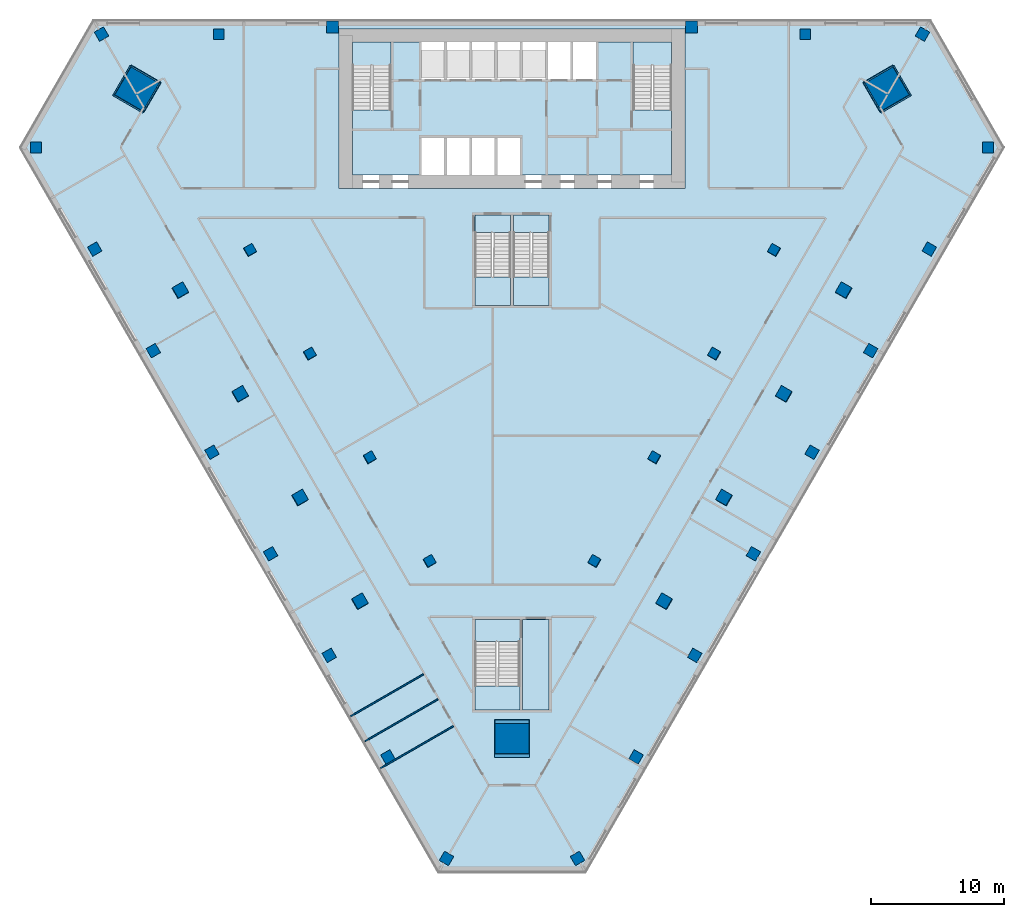
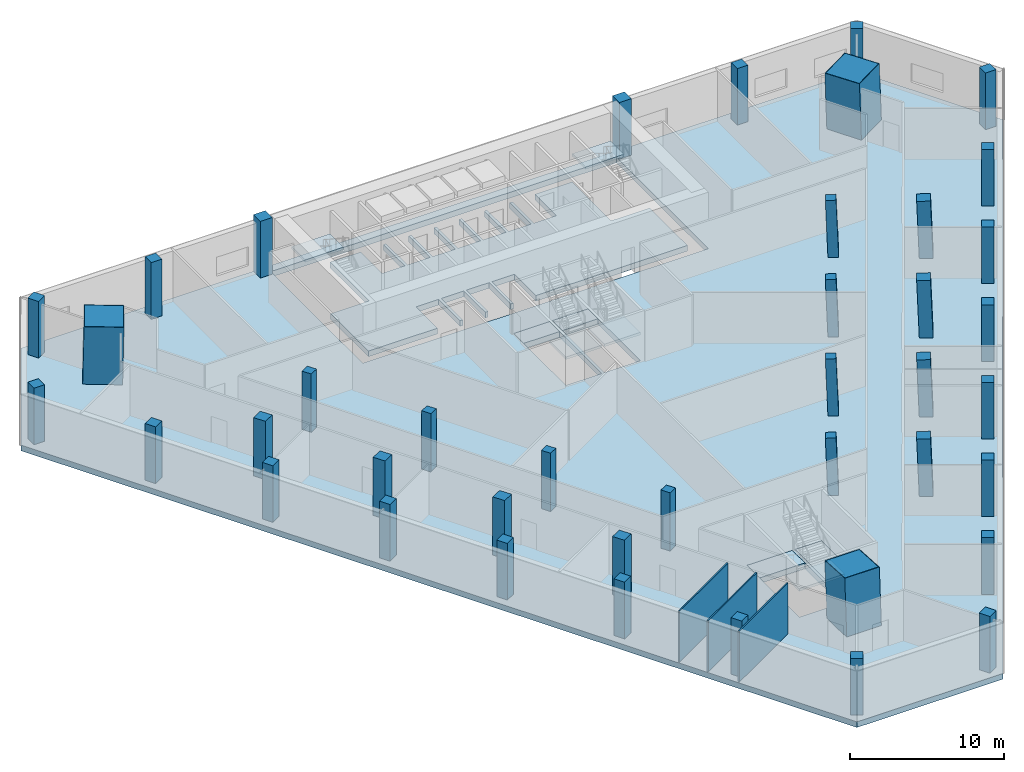
# One storey, part 1 of 9: 41 columns, 11 slabs, 3 members, 3 walls, 5 elements without a shape of their own.
"""IFC4 building model written with IfcOpenShell, lengths in metres."""

from ifc_helpers import new_model, si_unit, direction, frame, frame_2d, origin, origin_2d, place, context, subcontext, project, spatial, polyline, rectangle, hollow_rectangle, outline, extrude, material, layer, layer_set, material_profile, profile_set, type_object, element, aggregate, save


model = new_model("IFC4")

# Units and contexts
model_context = context("Model", 3, precision=1e-05, world=origin(), true_north=direction((0.0, 1.0)))
body_context = subcontext(model_context, "Body", "Model", "MODEL_VIEW")
ifc_project = project(units=[si_unit("LENGTHUNIT", "METRE"), si_unit("AREAUNIT", "SQUARE_METRE"), si_unit("VOLUMEUNIT", "CUBIC_METRE"), si_unit("PLANEANGLEUNIT", "RADIAN"), si_unit("MASSUNIT", "GRAM", prefix="KILO")], contexts=[model_context])

# Site, building, storey
site_placement = place(None, origin())
site = spatial("IfcSite", under=ifc_project, at=site_placement, CompositionType="ELEMENT")
building_placement = place(site_placement, origin())
building = spatial("IfcBuilding", under=site, at=building_placement, Name="Altiplano Prism Tower", CompositionType="ELEMENT")
storey_placement = place(building_placement, frame((0.0, 0.0, 9.0)))
storey = spatial("IfcBuildingStorey", under=building, at=storey_placement, Name="L01", CompositionType="ELEMENT", Elevation=9.0)

# Columns
ifc_material_1 = material(Name="Concrete C60/75", Category="concrete")
ifc_material_profile_1 = material_profile(ifc_material_1, rectangle(XDim=0.699951171875, YDim=0.699951171875, at=origin_2d()), Name="Inner column 700")
ifc_profile_set_1 = profile_set([ifc_material_profile_1], Name="Concrete C60/75")
column_type_1 = type_object("IfcColumnType", Name="Inner column 700", PredefinedType="COLUMN", material=ifc_profile_set_1)
for number, where, z_axis, x_axis, name in (
    (1, (65.292236328125, 87.747802734375, -0.021240234375), (0.022167823514, 0.038427840761, 0.999015459668), (-0.865419268357, -0.499573226186, 0.038419807841), "Inner column I11 L01"),
    (2, (69.792236328125, 79.95361328125, -0.021240234375), (0.022167823514, 0.038427840761, 0.999015459668), (-0.865417101727, -0.499576972074, 0.038419903852), "Inner column I12 L01"),
    (3, (74.292236328125, 72.159423828125, -0.021240234375), (0.022167823514, 0.038427840761, 0.999015459668), (-0.865419259621, -0.49957324129, 0.038419808228), "Inner column I13 L01"),
    (4, (78.792236328125, 64.364990234375, -0.021240234375), (0.02216777731, 0.038481960612, 0.999013377466), (-0.865113540396, -0.500099350468, 0.03846039371), "Inner column I14 L01"),
    (5, (91.207763671875, 64.364990234375, -0.021240234375), (-0.02216777731, 0.038481960612, 0.999013377466), (-0.501085972536, -0.865112581326, 0.022205174152), "Inner column I21 L01"),
    (6, (95.707763671875, 72.159423828125, -0.021240234375), (-0.022167823514, 0.038427840761, 0.999015459668), (-0.500554050762, -0.865421056617, 0.022181907681), "Inner column I22 L01"),
    (7, (100.207763671875, 79.95361328125, -0.021240234375), (-0.022167823514, 0.038427840761, 0.999015459668), (-0.500557781558, -0.865418902984, 0.022181742055), "Inner column I23 L01"),
    (8, (104.707763671875, 87.747802734375, -0.021240234375), (-0.022167823514, 0.038427840761, 0.999015459668), (-0.500557781558, -0.865418902984, 0.022181742055), "Inner column I24 L01"),
):
    element("IfcColumn", number, at=place(storey_placement, frame(where, z_axis=z_axis, x_axis=x_axis)), inside=storey, type_object=column_type_1, Name=name, PredefinedType="COLUMN", context=body_context, shape_type="SweptSolid", body=[
        extrude(rectangle(XDim=0.699951171875, YDim=0.699951171875, at=origin_2d()), origin(), (0.0, 0.0, 1.0), 4.50439453125),
    ])
ifc_material_2 = material(Name="Concrete C70/85", Category="concrete")
ifc_material_profile_2 = material_profile(ifc_material_2, rectangle(XDim=2.52001953125, YDim=2.52001953125, at=origin_2d()), Name="Mega column infill 2600")
ifc_profile_set_2 = profile_set([ifc_material_profile_2], Name="Concrete C70/85")
column_type_2 = type_object("IfcColumnType", Name="Mega column infill 2600", PredefinedType="COLUMN", material=ifc_profile_set_2)
column_1_placement = place(storey_placement, frame((56.741455078125, 99.853271484375, 0.0), z_axis=(0.028416130736, 0.009218973712, 0.999553667412), x_axis=(-0.865053397917, 0.501282210701, 0.019969075775)))
element("IfcColumn", 9, at=column_1_placement, inside=storey, type_object=column_type_2, Name="Mega column M0 L01", PredefinedType="COLUMN", context=body_context, shape_type="SweptSolid", body=[
    extrude(rectangle(XDim=2.52001953125, YDim=2.52001953125, at=origin_2d()), origin(), (0.0, 0.0, 1.0), 4.501953125),
])
column_2_placement = place(storey_placement, frame((85.0, 50.908203125, 0.0), z_axis=(0.0, 0.058331497301, 0.998297268564), x_axis=(-1.0, 0.0, 0.0)))
element("IfcColumn", 10, at=column_2_placement, inside=storey, type_object=column_type_2, Name="Mega column M1 L01", PredefinedType="COLUMN", context=body_context, shape_type="SweptSolid", body=[
    extrude(rectangle(XDim=2.52001953125, YDim=2.52001953125, at=origin_2d()), origin(), (0.0, 0.0, 1.0), 4.507568359375),
])
column_3_placement = place(storey_placement, frame((113.258544921875, 99.853271484375, 0.0), z_axis=(-0.028416130736, 0.009218973712, 0.999553667412), x_axis=(0.500876370668, -0.86523358539, 0.022219451375)))
element("IfcColumn", 11, at=column_3_placement, inside=storey, type_object=column_type_2, Name="Mega column M2 L01", PredefinedType="COLUMN", context=body_context, shape_type="SweptSolid", body=[
    extrude(rectangle(XDim=2.52001953125, YDim=2.52001953125, at=origin_2d()), origin(), (0.0, 0.0, 1.0), 4.501953125),
])
ifc_material_profile_3 = material_profile(ifc_material_1, rectangle(XDim=0.89990234375, YDim=0.89990234375, at=origin_2d()), Name="Perimeter column 900")
ifc_profile_set_3 = profile_set([ifc_material_profile_3], Name="Concrete C60/75")
column_type_3 = type_object("IfcColumnType", Name="Perimeter column 900", PredefinedType="COLUMN", material=ifc_profile_set_3)
for number, where, z_axis, x_axis, name in (
    (12, (98.5, 104.550048828125, 0.0), (0.0, 0.0, 1.0), (1.0, 0.0, 0.0), "Perimeter column P01 L01"),
    (13, (71.5, 104.550048828125, 0.0), (0.0, 0.0, 1.0), (1.0, 0.0, 0.0), "Perimeter column P04 L01"),
):
    element("IfcColumn", number, at=place(storey_placement, frame(where, z_axis=z_axis, x_axis=x_axis)), inside=storey, type_object=column_type_3, Name=name, PredefinedType="COLUMN", context=body_context, shape_type="SweptSolid", body=[
        extrude(rectangle(XDim=0.89990234375, YDim=0.89990234375, at=origin_2d()), origin(), (0.0, 0.0, 1.0), 4.5),
    ])
for number, where, z_axis, x_axis, name in (
    (14, (60.052734375, 84.72265625, -0.02734375), (0.022167823514, 0.038427840761, 0.999015459668), (-0.865417110463, -0.49957695697, 0.038419903465), "Perimeter column P11 L01"),
    (15, (64.552734375, 76.92822265625, -0.02734375), (0.02216777731, 0.038481960612, 0.999013377466), (-0.865111388971, -0.500103064833, 0.038460489047), "Perimeter column P12 L01"),
    (16, (69.052734375, 69.134033203125, -0.02734375), (0.02216777731, 0.038481960612, 0.999013377466), (-0.865113540396, -0.500099350468, 0.03846039371), "Perimeter column P13 L01"),
    (17, (73.552734375, 61.33984375, -0.02734375), (0.022167823514, 0.038427840761, 0.999015459668), (-0.865419259621, -0.49957324129, 0.038419808228), "Perimeter column P14 L01"),
    (18, (96.447265625, 61.33984375, -0.02734375), (-0.022167823514, 0.038427840761, 0.999015459668), (-0.500557781558, -0.865418902984, 0.022181742055), "Perimeter column P21 L01"),
    (19, (100.947265625, 69.134033203125, -0.02734375), (-0.02216777731, 0.038481960612, 0.999013377466), (-0.501082258158, -0.8651147285, 0.022205339282), "Perimeter column P22 L01"),
    (20, (105.447265625, 76.92822265625, -0.02734375), (-0.02216777731, 0.038481960612, 0.999013377466), (-0.501085972536, -0.865112581326, 0.022205174152), "Perimeter column P23 L01"),
    (21, (109.947265625, 84.72265625, -0.02734375), (-0.022167823514, 0.038427840761, 0.999015459668), (-0.500557781558, -0.865418902984, 0.022181742055), "Perimeter column P24 L01"),
):
    element("IfcColumn", number, at=place(storey_placement, frame(where, z_axis=z_axis, x_axis=x_axis)), inside=storey, type_object=column_type_3, Name=name, PredefinedType="COLUMN", context=body_context, shape_type="SweptSolid", body=[
        extrude(rectangle(XDim=0.89990234375, YDim=0.89990234375, at=origin_2d()), origin(), (0.0, 0.0, 1.0), 4.50439453125),
    ])
ifc_material_profile_4 = material_profile(ifc_material_1, rectangle(XDim=0.800048828125, YDim=0.800048828125, at=origin_2d()), Name="Podium column 800")
ifc_profile_set_4 = profile_set([ifc_material_profile_4], Name="Concrete C60/75")
column_type_4 = type_object("IfcColumnType", Name="Podium column 800", PredefinedType="COLUMN", material=ifc_profile_set_4)
for number, where, z_axis, x_axis, name in (
    (22, (115.85791015625, 104.0, 0.0), (0.0, 0.0, 1.0), (0.500000015115, 0.866025395058, 0.0), "PC Q01 L01"),
    (23, (107.041259765625, 104.0, 0.0), (0.0, 0.0, 1.0), (1.0, 0.0, 0.0), "PC Q02 L01"),
    (24, (62.958740234375, 104.0, 0.0), (0.0, 0.0, 1.0), (1.0, 0.0, 0.0), "PC Q07 L01"),
    (25, (54.14208984375, 104.0, 0.0), (0.0, 0.0, 1.0), (0.866025395058, 0.500000015115, 0.0), "PC Q08 L01"),
    (26, (49.219482421875, 95.4736328125, 0.0), (0.0, 0.0, 1.0), (1.0, 1.7453e-08, 0.0), "PC Q09 L01"),
    (27, (53.627685546875, 87.83837890625, 0.0), (0.0, 0.0, 1.0), (0.866025412511, 0.499999984885, 0.0), "PC Q10 L01"),
    (28, (58.035888671875, 80.203125, 0.0), (0.0, 0.0, 1.0), (0.866025412511, 0.499999984885, 0.0), "PC Q11 L01"),
    (29, (62.4443359375, 72.567626953125, 0.0), (0.0, 0.0, 1.0), (0.866025412511, 0.499999984885, 0.0), "PC Q12 L01"),
    (30, (66.8525390625, 64.932373046875, 0.0), (0.0, 0.0, 1.0), (0.866025412511, 0.499999984885, 0.0), "PC Q13 L01"),
    (31, (71.2607421875, 57.296875, 0.0), (0.0, 0.0, 1.0), (0.866025412511, 0.499999984885, 0.0), "PC Q14 L01"),
    (32, (75.669189453125, 49.66162109375, 0.0), (0.0, 0.0, 1.0), (0.866025412511, 0.499999984885, 0.0), "PC Q15 L01"),
    (33, (80.077392578125, 42.0263671875, 0.0), (0.0, 0.0, 1.0), (0.5, 0.866025403784, 0.0), "PC Q16 L01"),
    (34, (89.922607421875, 42.0263671875, 0.0), (0.0, 0.0, 1.0), (0.866025403784, 0.5, 0.0), "PC Q17 L01"),
    (35, (94.330810546875, 49.66162109375, 0.0), (0.0, 0.0, 1.0), (0.499999984885, 0.866025412511, 0.0), "PC Q18 L01"),
    (36, (98.7392578125, 57.296875, 0.0), (0.0, 0.0, 1.0), (0.499999984885, 0.866025412511, 0.0), "PC Q19 L01"),
    (37, (103.1474609375, 64.932373046875, 0.0), (0.0, 0.0, 1.0), (0.499999984885, 0.866025412511, 0.0), "PC Q20 L01"),
    (38, (107.5556640625, 72.567626953125, 0.0), (0.0, 0.0, 1.0), (0.499999984885, 0.866025412511, 0.0), "PC Q21 L01"),
    (39, (111.964111328125, 80.203125, 0.0), (0.0, 0.0, 1.0), (0.499999984885, 0.866025412511, 0.0), "PC Q22 L01"),
    (40, (116.372314453125, 87.83837890625, 0.0), (0.0, 0.0, 1.0), (0.499999984885, 0.866025412511, 0.0), "PC Q23 L01"),
    (41, (120.780517578125, 95.4736328125, 0.0), (0.0, 0.0, 1.0), (1.7453e-08, 1.0, 0.0), "PC Q24 L01"),
):
    element("IfcColumn", number, at=place(storey_placement, frame(where, z_axis=z_axis, x_axis=x_axis)), inside=storey, type_object=column_type_4, Name=name, PredefinedType="COLUMN", context=body_context, shape_type="SweptSolid", body=[
        extrude(rectangle(XDim=0.800048828125, YDim=0.800048828125, at=origin_2d()), origin(), (0.0, 0.0, 1.0), 4.5),
    ])

# Members
ifc_material_3 = material(Name="Steel S460", Category="steel")
ifc_material_profile_5 = material_profile(ifc_material_3, hollow_rectangle(XDim=2.60009765625, YDim=2.60009765625, WallThickness=0.0400390625, at=origin_2d()), Name="Mega column tube 2600")
ifc_profile_set_5 = profile_set([ifc_material_profile_5], Name="Steel S460")
member_type = type_object("IfcMemberType", Name="Mega column tube 2600", PredefinedType="POST", material=ifc_profile_set_5)
member_1_placement = place(storey_placement, frame((56.741455078125, 99.853271484375, 0.0), z_axis=(0.028416130736, 0.009218973712, 0.999553667412), x_axis=(-0.865053397917, 0.501282210701, 0.019969075775)))
element("IfcMember", 42, at=member_1_placement, inside=storey, type_object=member_type, Name="Mega column tube M0 L01", PredefinedType="POST", context=body_context, shape_type="SweptSolid", body=[
    extrude(hollow_rectangle(XDim=2.60009765625, YDim=2.60009765625, WallThickness=0.0400390625, at=origin_2d()), origin(), (0.0, 0.0, 1.0), 4.501953125),
])
member_2_placement = place(storey_placement, frame((85.0, 50.908203125, 0.0), z_axis=(0.0, 0.058331497301, 0.998297268564), x_axis=(-1.0, 0.0, 0.0)))
element("IfcMember", 43, at=member_2_placement, inside=storey, type_object=member_type, Name="Mega column tube M1 L01", PredefinedType="POST", context=body_context, shape_type="SweptSolid", body=[
    extrude(hollow_rectangle(XDim=2.60009765625, YDim=2.60009765625, WallThickness=0.0400390625, at=origin_2d()), origin(), (0.0, 0.0, 1.0), 4.507568359375),
])
member_3_placement = place(storey_placement, frame((113.258544921875, 99.853271484375, 0.0), z_axis=(-0.028416130736, 0.009218973712, 0.999553667412), x_axis=(0.500876370668, -0.86523358539, 0.022219451375)))
element("IfcMember", 44, at=member_3_placement, inside=storey, type_object=member_type, Name="Mega column tube M2 L01", PredefinedType="POST", context=body_context, shape_type="SweptSolid", body=[
    extrude(hollow_rectangle(XDim=2.60009765625, YDim=2.60009765625, WallThickness=0.0400390625, at=origin_2d()), origin(), (0.0, 0.0, 1.0), 4.501953125),
])

# Slabs
ifc_material_4 = material(Name="Concrete C40/50", Category="concrete")
ifc_layer_1 = layer(ifc_material_4, 0.449951171875)
ifc_layer_set_1 = layer_set([ifc_layer_1], Name="Concrete C40/50")
slab_type_1 = type_object("IfcSlabType", Name="Core floor slab 450", PredefinedType="FLOOR", material=ifc_layer_set_1)
slab_1_placement = place(storey_placement, frame((0.0, 0.0, -0.449951171875)))
element("IfcSlab", 45, at=slab_1_placement, inside=storey, type_object=slab_type_1, Name="Core floor slab L01", PredefinedType="FLOOR", context=body_context, shape_type="SweptSolid", body=[
    extrude(outline(polyline([(97.0, 98.31005859375), (94.10009765625, 98.31005859375), (94.10009765625, 103.39990234375), (91.300048828125, 103.39990234375), (91.300048828125, 100.60009765625), (89.60009765625, 100.60009765625), (89.60009765625, 103.39990234375), (89.39990234375, 103.39990234375), (89.39990234375, 100.60009765625), (87.699951171875, 100.60009765625), (87.699951171875, 103.39990234375), (87.5, 103.39990234375), (87.5, 100.60009765625), (85.800048828125, 100.60009765625), (85.800048828125, 103.39990234375), (85.60009765625, 103.39990234375), (85.60009765625, 100.60009765625), (83.89990234375, 100.60009765625), (83.89990234375, 103.39990234375), (83.699951171875, 103.39990234375), (83.699951171875, 100.60009765625), (82.0, 100.60009765625), (82.0, 103.39990234375), (81.800048828125, 103.39990234375), (81.800048828125, 100.60009765625), (80.10009765625, 100.60009765625), (80.10009765625, 103.39990234375), (79.89990234375, 103.39990234375), (79.89990234375, 100.60009765625), (78.199951171875, 100.60009765625), (78.199951171875, 103.39990234375), (75.89990234375, 103.39990234375), (75.89990234375, 98.31005859375), (73.0, 98.31005859375), (73.0, 93.39990234375), (78.199951171875, 93.39990234375), (78.199951171875, 96.199951171875), (79.89990234375, 96.199951171875), (79.89990234375, 93.39990234375), (80.10009765625, 93.39990234375), (80.10009765625, 96.199951171875), (81.800048828125, 96.199951171875), (81.800048828125, 93.39990234375), (82.0, 93.39990234375), (82.0, 96.199951171875), (83.699951171875, 96.199951171875), (83.699951171875, 93.39990234375), (83.89990234375, 93.39990234375), (83.89990234375, 96.199951171875), (85.60009765625, 96.199951171875), (85.60009765625, 93.39990234375), (97.0, 93.39990234375), (97.0, 98.31005859375)])), origin(), (0.0, 0.0, 1.0), 0.449951171875),
])
slab_2_placement = place(storey_placement, frame((0.0, 0.0, -0.449951171875)))
element("IfcSlab", 46, at=slab_2_placement, inside=storey, type_object=slab_type_1, Name="Stair 3A landing slab L01", PredefinedType="FLOOR", context=body_context, shape_type="SweptSolid", body=[
    extrude(outline(polyline([(82.199951171875, 89.096923828125), (84.89990234375, 89.096923828125), (84.89990234375, 90.39990234375), (82.199951171875, 90.39990234375), (82.199951171875, 89.096923828125)])), origin(), (0.0, 0.0, 1.0), 0.449951171875),
])
slab_3_placement = place(storey_placement, frame((0.0, 0.0, -0.449951171875)))
element("IfcSlab", 47, at=slab_3_placement, inside=storey, type_object=slab_type_1, Name="Stair 3B landing slab L01", PredefinedType="FLOOR", context=body_context, shape_type="SweptSolid", body=[
    extrude(outline(polyline([(85.10009765625, 89.096923828125), (87.800048828125, 89.096923828125), (87.800048828125, 90.39990234375), (85.10009765625, 90.39990234375), (85.10009765625, 89.096923828125)])), origin(), (0.0, 0.0, 1.0), 0.449951171875),
])
slab_4_placement = place(storey_placement, frame((0.0, 0.0, -0.449951171875)))
element("IfcSlab", 48, at=slab_4_placement, inside=storey, type_object=slab_type_1, Name="Stair 4 landing slab L01", PredefinedType="FLOOR", context=body_context, shape_type="SweptSolid", body=[
    extrude(outline(polyline([(82.199951171875, 58.346923828125), (85.60009765625, 58.346923828125), (85.60009765625, 60.0), (82.199951171875, 60.0), (82.199951171875, 58.346923828125)])), origin(), (0.0, 0.0, 1.0), 0.449951171875),
])
slab_5_placement = place(storey_placement, frame((0.0, 0.0, -0.449951171875)))
element("IfcSlab", 49, at=slab_5_placement, inside=storey, type_object=slab_type_1, Name="Stair 4 lobby slab L01", PredefinedType="FLOOR", context=body_context, shape_type="SweptSolid", body=[
    extrude(outline(polyline([(85.800048828125, 53.199951171875), (87.800048828125, 53.199951171875), (87.800048828125, 60.0), (85.800048828125, 60.0), (85.800048828125, 53.199951171875)])), origin(), (0.0, 0.0, 1.0), 0.449951171875),
])
ifc_layer_2 = layer(ifc_material_4, 0.449951171875)
ifc_layer_set_2 = layer_set([ifc_layer_2], Name="Concrete C40/50")
slab_type_2 = type_object("IfcSlabType", Name="Post-tensioned flat slab 450", PredefinedType="FLOOR", material=ifc_layer_set_2)
slab_6_placement = place(storey_placement, frame((0.0, 0.0, -0.449951171875)))
element("IfcSlab", 50, at=slab_6_placement, inside=storey, type_object=slab_type_2, Name="Floor slab L01", PredefinedType="FLOOR", context=body_context, shape_type="SweptSolid", body=[
    extrude(outline(polyline([(53.564697265625, 105.0), (116.435302734375, 105.0), (121.935302734375, 95.4736328125), (90.5, 41.0263671875), (79.5, 41.0263671875), (48.064697265625, 95.4736328125), (53.564697265625, 105.0)]), holes=[polyline([(98.0, 92.39990234375), (98.0, 104.39990234375), (72.0, 104.39990234375), (72.0, 92.39990234375), (98.0, 92.39990234375)]), polyline([(82.199951171875, 83.60009765625), (84.89990234375, 83.60009765625), (84.89990234375, 90.39990234375), (82.199951171875, 90.39990234375), (82.199951171875, 83.60009765625)]), polyline([(85.10009765625, 90.39990234375), (85.10009765625, 83.60009765625), (87.800048828125, 83.60009765625), (87.800048828125, 90.39990234375), (85.10009765625, 90.39990234375)]), polyline([(85.60009765625, 60.0), (82.199951171875, 60.0), (82.199951171875, 53.199951171875), (85.60009765625, 53.199951171875), (85.60009765625, 60.0)]), polyline([(87.800048828125, 53.199951171875), (87.800048828125, 60.0), (85.800048828125, 60.0), (85.800048828125, 53.199951171875), (87.800048828125, 53.199951171875)])]), origin(), (0.0, 0.0, 1.0), 0.449951171875),
])

# Stair, slab
stair_type_1 = type_object("IfcStairType", Name="Exit stair 1400", PredefinedType="HALF_TURN_STAIR", material=ifc_material_4)
stair_1_placement = place(storey_placement, origin())
stair_1 = element("IfcStair", 51, at=stair_1_placement, inside=storey, type_object=stair_type_1, Name="L01 Exit Stair 1", PredefinedType="HALF_TURN_STAIR")
ifc_layer_3 = layer(ifc_material_4, 0.199951171875)
ifc_layer_set_3 = layer_set([ifc_layer_3], Name="Concrete C40/50")
slab_type_3 = type_object("IfcSlabType", Name="Stair landing 200", PredefinedType="LANDING", material=ifc_layer_set_3)
slab_7_placement = place(storey_placement, frame((0.0, 0.0, 2.050048828125)))
slab_7 = element("IfcSlab", 52, at=slab_7_placement, type_object=slab_type_3, Name="ST1 landing 1", PredefinedType="LANDING", context=body_context, shape_type="SweptSolid", body=[
    extrude(outline(polyline([(75.89990234375, 101.656982421875), (75.89990234375, 103.39990234375), (73.0, 103.39990234375), (73.0, 101.656982421875), (75.89990234375, 101.656982421875)])), origin(), (0.0, 0.0, 1.0), 0.199951171875),
])
aggregate(stair_1, [slab_7])

stair_2_placement = place(storey_placement, origin())
stair_2 = element("IfcStair", 53, at=stair_2_placement, inside=storey, type_object=stair_type_1, Name="L01 Exit Stair 2", PredefinedType="HALF_TURN_STAIR")
slab_8_placement = place(storey_placement, frame((0.0, 0.0, 2.050048828125)))
slab_8 = element("IfcSlab", 54, at=slab_8_placement, type_object=slab_type_3, Name="ST2 landing 1", PredefinedType="LANDING", context=body_context, shape_type="SweptSolid", body=[
    extrude(outline(polyline([(97.0, 101.656982421875), (97.0, 103.39990234375), (94.10009765625, 103.39990234375), (94.10009765625, 101.656982421875), (97.0, 101.656982421875)])), origin(), (0.0, 0.0, 1.0), 0.199951171875),
])
aggregate(stair_2, [slab_8])

stair_type_2 = type_object("IfcStairType", Name="Exit stair 1300", PredefinedType="HALF_TURN_STAIR", material=ifc_material_4)
stair_3_placement = place(storey_placement, origin())
stair_3 = element("IfcStair", 55, at=stair_3_placement, inside=storey, type_object=stair_type_2, Name="L01 Exit Stair 3A", PredefinedType="HALF_TURN_STAIR")
slab_9_placement = place(storey_placement, frame((0.0, 0.0, 2.050048828125)))
slab_9 = element("IfcSlab", 56, at=slab_9_placement, type_object=slab_type_3, Name="ST3A landing 1", PredefinedType="LANDING", context=body_context, shape_type="SweptSolid", body=[
    extrude(outline(polyline([(82.199951171875, 85.742919921875), (82.199951171875, 83.60009765625), (84.89990234375, 83.60009765625), (84.89990234375, 85.742919921875), (82.199951171875, 85.742919921875)])), origin(), (0.0, 0.0, 1.0), 0.199951171875),
])
aggregate(stair_3, [slab_9])

stair_4_placement = place(storey_placement, origin())
stair_4 = element("IfcStair", 57, at=stair_4_placement, inside=storey, type_object=stair_type_2, Name="L01 Exit Stair 3B", PredefinedType="HALF_TURN_STAIR")
slab_10_placement = place(storey_placement, frame((0.0, 0.0, 2.050048828125)))
slab_10 = element("IfcSlab", 58, at=slab_10_placement, type_object=slab_type_3, Name="ST3B landing 1", PredefinedType="LANDING", context=body_context, shape_type="SweptSolid", body=[
    extrude(outline(polyline([(85.10009765625, 85.742919921875), (85.10009765625, 83.60009765625), (87.800048828125, 83.60009765625), (87.800048828125, 85.742919921875), (85.10009765625, 85.742919921875)])), origin(), (0.0, 0.0, 1.0), 0.199951171875),
])
aggregate(stair_4, [slab_10])

stair_type_3 = type_object("IfcStairType", Name="Exit stair 1650", PredefinedType="HALF_TURN_STAIR", material=ifc_material_4)
stair_5_placement = place(storey_placement, origin())
stair_5 = element("IfcStair", 59, at=stair_5_placement, inside=storey, type_object=stair_type_3, Name="L01 Exit Stair 4", PredefinedType="HALF_TURN_STAIR")
slab_11_placement = place(storey_placement, frame((0.0, 0.0, 2.050048828125)))
slab_11 = element("IfcSlab", 60, at=slab_11_placement, type_object=slab_type_3, Name="ST4 landing 1", PredefinedType="LANDING", context=body_context, shape_type="SweptSolid", body=[
    extrude(outline(polyline([(82.199951171875, 54.992919921875), (82.199951171875, 53.199951171875), (85.60009765625, 53.199951171875), (85.60009765625, 54.992919921875), (82.199951171875, 54.992919921875)])), origin(), (0.0, 0.0, 1.0), 0.199951171875),
])
aggregate(stair_5, [slab_11])

# Walls
ifc_material_5 = material(Name="Plasterboard on steel stud", Category="steel")
ifc_layer_4 = layer(ifc_material_5, 0.10009765625)
ifc_layer_set_4 = layer_set([ifc_layer_4], Name="Plasterboard on steel stud")
wall_type = type_object("IfcWallType", Name="Partition 100 wet", PredefinedType="PARTITIONING", material=ifc_layer_set_4)
wall_1_placement = place(storey_placement, frame((72.868896484375, 52.71142578125, 0.0), z_axis=(0.0, 0.0, 1.0), x_axis=(0.866025537322, 0.499999768706, 0.0)))
element("IfcWall", 61, at=wall_1_placement, inside=storey, type_object=wall_type, Name="Partition P03 L01 040", PredefinedType="PARTITIONING", context=body_context, shape_type="SweptSolid", body=[
    extrude(rectangle(XDim=6.3251953125, YDim=0.10009765625, at=frame_2d((3.16259765625, 0.0))), origin(), (0.0, 0.0, 1.0), 4.050048828125),
])
wall_2_placement = place(storey_placement, frame((73.95166015625, 50.83642578125, 0.0), z_axis=(0.0, 0.0, 1.0), x_axis=(0.866015887322, 0.500016482634, 0.0)))
element("IfcWall", 62, at=wall_2_placement, inside=storey, type_object=wall_type, Name="Partition P03 L01 041", PredefinedType="PARTITIONING", context=body_context, shape_type="SweptSolid", body=[
    extrude(rectangle(XDim=6.324951171875, YDim=0.10009765625, at=frame_2d((3.16259765625, 0.0))), origin(), (0.0, 0.0, 1.0), 4.050048828125),
])
wall_3_placement = place(storey_placement, frame((75.118896484375, 48.814453125, 0.0), z_axis=(0.0, 0.0, 1.0), x_axis=(0.866025537322, 0.499999768706, 0.0)))
element("IfcWall", 63, at=wall_3_placement, inside=storey, type_object=wall_type, Name="Partition P03 L01 042", PredefinedType="PARTITIONING", context=body_context, shape_type="SweptSolid", body=[
    extrude(rectangle(XDim=6.3251953125, YDim=0.10009765625, at=frame_2d((3.16259765625, 0.0))), origin(), (0.0, 0.0, 1.0), 4.050048828125),
])

save(model, "model.ifc")
